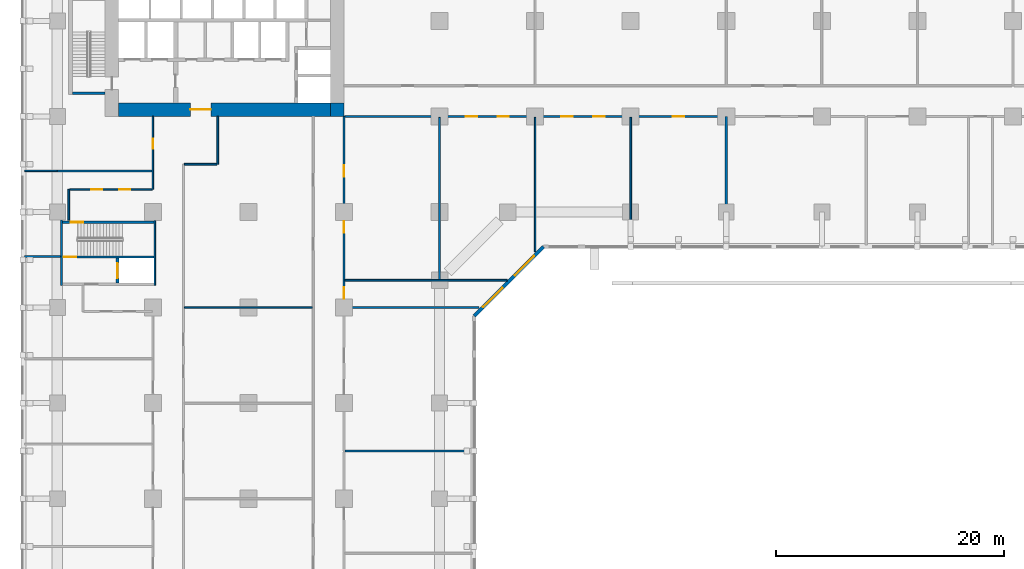
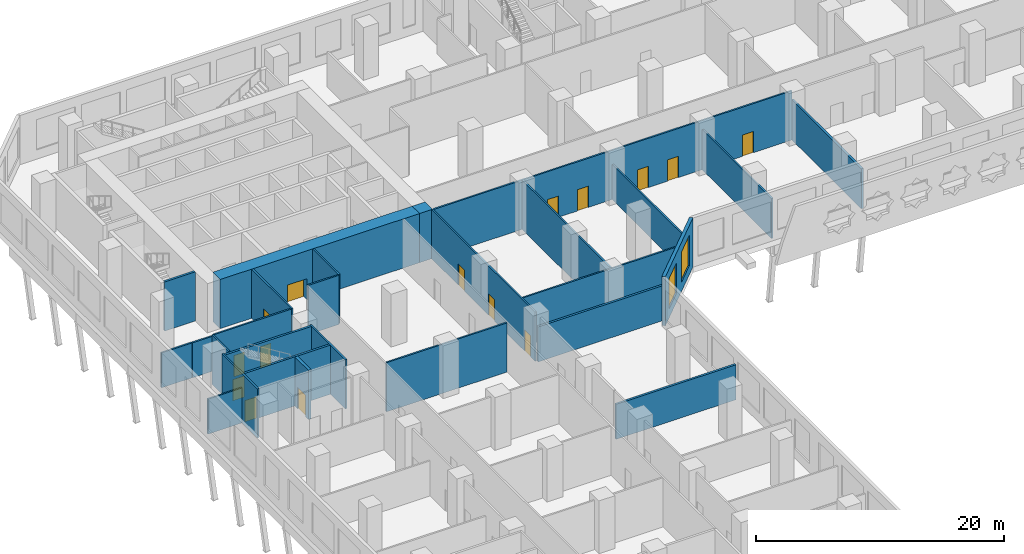
# One storey, part 6 of 21: 27 walls, 15 doors, 2 windows, 17 openings.
"""IFC4 building model written with IfcOpenShell, lengths in metres."""

from ifc_helpers import new_model, si_unit, direction, frame, frame_2d, origin, place, context, subcontext, project, spatial, rectangle, extrude, material, layer, layer_set, type_object, element, fill, save


model = new_model("IFC4")

# Units and contexts
model_context = context("Model", 3, precision=1e-05, world=origin(), true_north=direction((0.0, 1.0)))
body_context = subcontext(model_context, "Body", "Model", "MODEL_VIEW")
ifc_project = project(units=[si_unit("LENGTHUNIT", "METRE"), si_unit("AREAUNIT", "SQUARE_METRE"), si_unit("VOLUMEUNIT", "CUBIC_METRE"), si_unit("PLANEANGLEUNIT", "RADIAN"), si_unit("MASSUNIT", "GRAM", prefix="KILO")], contexts=[model_context])

# Site, building, storey
site_placement = place(None, origin())
site = spatial("IfcSite", under=ifc_project, at=site_placement, CompositionType="ELEMENT")
building_placement = place(site_placement, origin())
building = spatial("IfcBuilding", under=site, at=building_placement, Name="Kawkab Arch Medical Tower", CompositionType="ELEMENT")
storey_placement = place(building_placement, frame((0.0, 0.0, 23.800048828125)))
storey = spatial("IfcBuildingStorey", under=building, at=storey_placement, Name="L05", CompositionType="ELEMENT", Elevation=23.800048828125)

# Wall, opening, door
ifc_material_1 = material(Name="Concrete C60/75", Category="concrete")
ifc_layer_1 = layer(ifc_material_1, 1.199951171875)
ifc_layer_set_1 = layer_set([ifc_layer_1], Name="Concrete C60/75")
wall_type_1 = type_object("IfcWallType", Name="Core ring wall 1200 C60/75", PredefinedType="SHEAR", material=ifc_layer_set_1)
wall_1_placement = place(storey_placement, frame((5.39990234375, -24.60009765625, 0.0), z_axis=(0.0, 0.0, 1.0), x_axis=(1.0, 0.0, 0.0)))
wall_1 = element("IfcWall", 1, at=wall_1_placement, inside=storey, type_object=wall_type_1, Name="L05 core wall", PredefinedType="SHEAR", context=body_context, shape_type="SweptSolid", body=[
    extrude(rectangle(XDim=18.60009765625, YDim=1.199951171875, at=frame_2d((9.300048828125, 0.0))), origin(), (0.0, 0.0, 1.0), 4.849853515625),
])
opening_1_placement = place(wall_1_placement, frame((6.300048828125, 0.0, 0.0)))
opening_1 = element("IfcOpeningElement", 2, at=opening_1_placement, cuts=wall_1, Name="Opening PD", PredefinedType="OPENING", context=body_context, shape_type="SweptSolid", body=[
    extrude(rectangle(XDim=1.800048828125, YDim=2.10009765625, at=frame_2d((0.89990234375, 1.050048828125))), frame((0.0, 0.60986328125, 0.0), z_axis=(0.0, -1.0, 0.0), x_axis=(1.0, 0.0, 0.0)), (0.0, 0.0, 1.0), 1.219970703125),
])
ifc_material_2 = material(Name="Hollow metal fire door leaf")
door_type_1 = type_object("IfcDoorType", Name="Core entrance doors 1800", OperationType="DOUBLE_DOOR_SINGLE_SWING", PredefinedType="DOOR", material=ifc_material_2)
door_1_placement = place(opening_1_placement, origin())
door_1 = element("IfcDoor", 3, at=door_1_placement, inside=storey, type_object=door_type_1, Name="L05 South entrance doors", OperationType="DOUBLE_DOOR_SINGLE_SWING", OverallHeight=2.10009765625, OverallWidth=1.800048828125, PredefinedType="DOOR", context=body_context, shape_type="SweptSolid", body=[
    extrude(rectangle(XDim=1.800048828125, YDim=2.10009765625, at=frame_2d((0.89990234375, 1.050048828125))), frame((0.0, 0.02490234375, 0.0), z_axis=(0.0, -1.0, 0.0), x_axis=(1.0, 0.0, 0.0)), (0.0, 0.0, 1.0), 0.050048828125),
])
fill(opening_1, door_1)

# Wall
wall_2_placement = place(storey_placement, frame((24.60009765625, -25.199951171875, 0.0), z_axis=(0.0, 0.0, 1.0), x_axis=(0.0, 1.0, 0.0)))
element("IfcWall", 4, at=wall_2_placement, inside=storey, type_object=wall_type_1, Name="L05 core wall", PredefinedType="SHEAR", context=body_context, shape_type="SweptSolid", body=[
    extrude(rectangle(XDim=1.199951171875, YDim=1.199951171875, at=frame_2d((0.60009765625, 0.0))), origin(), (0.0, 0.0, 1.0), 4.849853515625),
])

# Wall, opening, door
ifc_material_3 = material(Name="Concrete C60/75", Category="concrete")
ifc_layer_2 = layer(ifc_material_3, 0.25)
ifc_layer_set_2 = layer_set([ifc_layer_2], Name="Concrete C60/75")
wall_type_2 = type_object("IfcWallType", Name="Core shear wall 250 C60/75", PredefinedType="SHEAR", material=ifc_layer_set_2)
wall_3_placement = place(storey_placement, frame((5.300048828125, -39.85009765625, 0.0), z_axis=(0.0, 0.0, 1.0), x_axis=(0.0, 1.0, 0.0)))
wall_3 = element("IfcWall", 5, at=wall_3_placement, inside=storey, type_object=wall_type_2, Name="L05 core shear wall", PredefinedType="SHEAR", context=body_context, shape_type="SweptSolid", body=[
    extrude(rectangle(XDim=2.2001953125, YDim=0.25, at=frame_2d((1.10009765625, 0.0))), origin(), (0.0, 0.0, 1.0), 4.849853515625),
])
opening_2_placement = place(wall_3_placement, frame((0.449951171875, 0.0, 0.0)))
opening_2 = element("IfcOpeningElement", 6, at=opening_2_placement, cuts=wall_3, Name="Opening LD2", PredefinedType="OPENING", context=body_context, shape_type="SweptSolid", body=[
    extrude(rectangle(XDim=1.300048828125, YDim=2.10009765625, at=frame_2d((0.64990234375, 1.050048828125))), frame((0.0, 0.135009765625, 0.0), z_axis=(0.0, -1.0, 0.0), x_axis=(1.0, 0.0, 0.0)), (0.0, 0.0, 1.0), 0.27001953125),
])
ifc_material_4 = material(Name="Stainless steel lift door leaf", Category="steel")
door_type_2 = type_object("IfcDoorType", Name="Lift landing door 1300", OperationType="DOUBLE_DOOR_SLIDING", PredefinedType="DOOR", material=ifc_material_4)
door_2_placement = place(opening_2_placement, origin())
door_2 = element("IfcDoor", 7, at=door_2_placement, inside=storey, type_object=door_type_2, Name="L05 Lift landing door SV2", OperationType="DOUBLE_DOOR_SLIDING", OverallHeight=2.10009765625, OverallWidth=1.300048828125, PredefinedType="DOOR", context=body_context, shape_type="SweptSolid", body=[
    extrude(rectangle(XDim=1.300048828125, YDim=2.10009765625, at=frame_2d((0.64990234375, 1.050048828125))), frame((0.0, 0.02490234375, 0.0), z_axis=(0.0, -1.0, 0.0), x_axis=(1.0, 0.0, 0.0)), (0.0, 0.0, 1.0), 0.050048828125),
])
fill(opening_2, door_2)

# Walls
ifc_material_5 = material(Name="Gypsum board partition on steel studs, mineral wool", Category="steel")
ifc_layer_3 = layer(ifc_material_5, 0.14990234375)
ifc_layer_set_3 = layer_set([ifc_layer_3], Name="Gypsum board partition on steel studs, mineral wool")
wall_type_3 = type_object("IfcWallType", Name="Partition 150", PredefinedType="PARTITIONING", material=ifc_layer_set_3)
wall_4_placement = place(storey_placement, frame((11.175048828125, -42.0, 0.0), z_axis=(0.0, 0.0, 1.0), x_axis=(1.0, 0.0, 0.0)))
element("IfcWall", 8, at=wall_4_placement, inside=storey, type_object=wall_type_3, Name="Partition 150 w014", PredefinedType="PARTITIONING", context=body_context, shape_type="SweptSolid", body=[
    extrude(rectangle(XDim=11.25, YDim=0.14990234375, at=frame_2d((5.625, 0.0))), origin(), (0.0, 0.0, 1.0), 4.849853515625),
])
wall_5_placement = place(storey_placement, frame((25.27490234375, -39.60009765625, 0.0), z_axis=(0.0, 0.0, 1.0), x_axis=(1.0, 0.0, 0.0)))
element("IfcWall", 9, at=wall_5_placement, inside=storey, type_object=wall_type_3, Name="Partition 150 w015", PredefinedType="PARTITIONING", context=body_context, shape_type="SweptSolid", body=[
    extrude(rectangle(XDim=14.272216796875, YDim=0.14990234375, at=frame_2d((7.13623046875, 0.0))), origin(), (0.0, 0.0, 1.0), 4.849853515625),
])
wall_6_placement = place(storey_placement, frame((-2.8798828125, -37.5, 0.0), z_axis=(0.0, 0.0, 1.0), x_axis=(1.0, 0.0, 0.0)))
element("IfcWall", 10, at=wall_6_placement, inside=storey, type_object=wall_type_3, Name="Partition 150 w016", PredefinedType="PARTITIONING", context=body_context, shape_type="SweptSolid", body=[
    extrude(rectangle(XDim=3.179931640625, YDim=0.14990234375, at=frame_2d((1.58984375, 0.0))), origin(), (0.0, 0.0, 1.0), 3.449951171875),
])

# Wall, openings, doors
wall_7_placement = place(storey_placement, frame((1.075927734375, -31.60693359375, 0.0), z_axis=(0.0, 0.0, 1.0), x_axis=(1.0, 0.0, 0.0)))
wall_7 = element("IfcWall", 11, at=wall_7_placement, inside=storey, type_object=wall_type_3, Name="Partition 150 w017", PredefinedType="PARTITIONING", context=body_context, shape_type="SweptSolid", body=[
    extrude(rectangle(XDim=7.2490234375, YDim=0.14990234375, at=frame_2d((3.62451171875, 0.0))), origin(), (0.0, 0.0, 1.0), 4.849853515625),
])
opening_3_placement = place(wall_7_placement, frame((1.89111328125, 0.0, 0.0)))
opening_3 = element("IfcOpeningElement", 12, at=opening_3_placement, cuts=wall_7, Name="Opening P05-032", PredefinedType="OPENING", context=body_context, shape_type="SweptSolid", body=[
    extrude(rectangle(XDim=1.0, YDim=2.10009765625, at=frame_2d((0.5, 1.050048828125))), frame((0.0, 0.0849609375, 0.0), z_axis=(0.0, -1.0, 0.0), x_axis=(1.0, 0.0, 0.0)), (0.0, 0.0, 1.0), 0.169921875),
])
opening_4_placement = place(wall_7_placement, frame((4.35791015625, 0.0, 0.0)))
opening_4 = element("IfcOpeningElement", 13, at=opening_4_placement, cuts=wall_7, Name="Opening P05-033", PredefinedType="OPENING", context=body_context, shape_type="SweptSolid", body=[
    extrude(rectangle(XDim=1.0, YDim=2.10009765625, at=frame_2d((0.5, 1.050048828125))), frame((0.0, 0.0849609375, 0.0), z_axis=(0.0, -1.0, 0.0), x_axis=(1.0, 0.0, 0.0)), (0.0, 0.0, 1.0), 0.169921875),
])
ifc_material_6 = material(Name="Hollow metal door leaf")
door_type_3 = type_object("IfcDoorType", Name="Single door 1000x2100 FD30S", OperationType="NOTDEFINED", PredefinedType="DOOR", material=ifc_material_6)
door_3_placement = place(opening_3_placement, origin())
door_3 = element("IfcDoor", 14, at=door_3_placement, inside=storey, type_object=door_type_3, Name="Door P05-032", OperationType="SINGLE_SWING_LEFT", OverallHeight=2.10009765625, OverallWidth=1.0, PredefinedType="DOOR", context=body_context, shape_type="SweptSolid", body=[
    extrude(rectangle(XDim=1.0, YDim=2.10009765625, at=frame_2d((0.5, 1.050048828125))), frame((0.0, 0.02490234375, 0.0), z_axis=(0.0, -1.0, 0.0), x_axis=(1.0, 0.0, 0.0)), (0.0, 0.0, 1.0), 0.050048828125),
])
fill(opening_3, door_3)
door_4_placement = place(opening_4_placement, origin())
door_4 = element("IfcDoor", 15, at=door_4_placement, inside=storey, type_object=door_type_3, Name="Door P05-033", OperationType="SINGLE_SWING_RIGHT", OverallHeight=2.10009765625, OverallWidth=1.0, PredefinedType="DOOR", context=body_context, shape_type="SweptSolid", body=[
    extrude(rectangle(XDim=1.0, YDim=2.10009765625, at=frame_2d((0.5, 1.050048828125))), frame((0.0, 0.02490234375, 0.0), z_axis=(0.0, -1.0, 0.0), x_axis=(1.0, 0.0, 0.0)), (0.0, 0.0, 1.0), 0.050048828125),
])
fill(opening_4, door_4)

# Walls
wall_8_placement = place(storey_placement, frame((0.001953125, -30.0, 0.0), z_axis=(0.0, 0.0, 1.0), x_axis=(1.0, 0.0, 0.0)))
element("IfcWall", 16, at=wall_8_placement, inside=storey, type_object=wall_type_3, Name="Partition 150 w018", PredefinedType="PARTITIONING", context=body_context, shape_type="SweptSolid", body=[
    extrude(rectangle(XDim=8.322998046875, YDim=0.14990234375, at=frame_2d((4.16162109375, 0.0))), origin(), (0.0, 0.0, 1.0), 3.449951171875),
])
wall_9_placement = place(storey_placement, frame((-2.8798828125, -29.97998046875, 0.0), z_axis=(0.0, 0.0, 1.0), x_axis=(1.0, 0.0, 0.0)))
element("IfcWall", 17, at=wall_9_placement, inside=storey, type_object=wall_type_3, Name="Partition 150 w019", PredefinedType="PARTITIONING", context=body_context, shape_type="SweptSolid", body=[
    extrude(rectangle(XDim=2.85986328125, YDim=0.14990234375, at=frame_2d((1.429931640625, 0.0))), origin(), (0.0, 0.0, 1.0), 3.449951171875),
])
wall_10_placement = place(storey_placement, frame((11.175048828125, -29.39990234375, 0.0), z_axis=(0.0, 0.0, 1.0), x_axis=(1.0, 0.0, 0.0)))
element("IfcWall", 18, at=wall_10_placement, inside=storey, type_object=wall_type_3, Name="Partition 150 w020", PredefinedType="PARTITIONING", context=body_context, shape_type="SweptSolid", body=[
    extrude(rectangle(XDim=2.849853515625, YDim=0.14990234375, at=frame_2d((1.4248046875, 0.0))), origin(), (0.0, 0.0, 1.0), 4.849853515625),
])

# Wall, openings, doors
wall_11_placement = place(storey_placement, frame((25.27490234375, -25.199951171875, 0.0), z_axis=(0.0, 0.0, 1.0), x_axis=(1.0, 0.0, 0.0)))
wall_11 = element("IfcWall", 19, at=wall_11_placement, inside=storey, type_object=wall_type_3, Name="Partition 150 w021", PredefinedType="PARTITIONING", context=body_context, shape_type="SweptSolid", body=[
    extrude(rectangle(XDim=33.425048828125, YDim=0.14990234375, at=frame_2d((16.71240234375, 0.0))), origin(), (0.0, 0.0, 1.0), 4.849853515625),
])
opening_5_placement = place(wall_11_placement, frame((13.425048828125, 0.0, 0.0)))
opening_5 = element("IfcOpeningElement", 20, at=opening_5_placement, cuts=wall_11, Name="Opening P05-025", PredefinedType="OPENING", context=body_context, shape_type="SweptSolid", body=[
    extrude(rectangle(XDim=1.0, YDim=2.10009765625, at=frame_2d((0.5, 1.050048828125))), frame((0.0, 0.0849609375, 0.0), z_axis=(0.0, -1.0, 0.0), x_axis=(1.0, 0.0, 0.0)), (0.0, 0.0, 1.0), 0.169921875),
])
opening_6_placement = place(wall_11_placement, frame((10.625, 0.0, 0.0)))
opening_6 = element("IfcOpeningElement", 21, at=opening_6_placement, cuts=wall_11, Name="Opening P05-026", PredefinedType="OPENING", context=body_context, shape_type="SweptSolid", body=[
    extrude(rectangle(XDim=1.0, YDim=2.10009765625, at=frame_2d((0.5, 1.050048828125))), frame((0.0, 0.0849609375, 0.0), z_axis=(0.0, -1.0, 0.0), x_axis=(1.0, 0.0, 0.0)), (0.0, 0.0, 1.0), 0.169921875),
])
opening_7_placement = place(wall_11_placement, frame((21.824951171875, 0.0, 0.0)))
opening_7 = element("IfcOpeningElement", 22, at=opening_7_placement, cuts=wall_11, Name="Opening P05-027", PredefinedType="OPENING", context=body_context, shape_type="SweptSolid", body=[
    extrude(rectangle(XDim=1.0, YDim=2.10009765625, at=frame_2d((0.5, 1.050048828125))), frame((0.0, 0.0849609375, 0.0), z_axis=(0.0, -1.0, 0.0), x_axis=(1.0, 0.0, 0.0)), (0.0, 0.0, 1.0), 0.169921875),
])
opening_8_placement = place(wall_11_placement, frame((19.02490234375, 0.0, 0.0)))
opening_8 = element("IfcOpeningElement", 23, at=opening_8_placement, cuts=wall_11, Name="Opening P05-028", PredefinedType="OPENING", context=body_context, shape_type="SweptSolid", body=[
    extrude(rectangle(XDim=1.0, YDim=2.10009765625, at=frame_2d((0.5, 1.050048828125))), frame((0.0, 0.0849609375, 0.0), z_axis=(0.0, -1.0, 0.0), x_axis=(1.0, 0.0, 0.0)), (0.0, 0.0, 1.0), 0.169921875),
])
opening_9_placement = place(wall_11_placement, frame((28.824951171875, 0.0, 0.0)))
opening_9 = element("IfcOpeningElement", 24, at=opening_9_placement, cuts=wall_11, Name="Opening P05-029", PredefinedType="OPENING", context=body_context, shape_type="SweptSolid", body=[
    extrude(rectangle(XDim=1.0, YDim=2.10009765625, at=frame_2d((0.5, 1.050048828125))), frame((0.0, 0.0849609375, 0.0), z_axis=(0.0, -1.0, 0.0), x_axis=(1.0, 0.0, 0.0)), (0.0, 0.0, 1.0), 0.169921875),
])
door_5_placement = place(opening_5_placement, origin())
door_5 = element("IfcDoor", 25, at=door_5_placement, inside=storey, type_object=door_type_3, Name="Door P05-025", OperationType="SINGLE_SWING_RIGHT", OverallHeight=2.10009765625, OverallWidth=1.0, PredefinedType="DOOR", context=body_context, shape_type="SweptSolid", body=[
    extrude(rectangle(XDim=1.0, YDim=2.10009765625, at=frame_2d((0.5, 1.050048828125))), frame((0.0, 0.02490234375, 0.0), z_axis=(0.0, -1.0, 0.0), x_axis=(1.0, 0.0, 0.0)), (0.0, 0.0, 1.0), 0.050048828125),
])
fill(opening_5, door_5)
door_6_placement = place(opening_6_placement, origin())
door_6 = element("IfcDoor", 26, at=door_6_placement, inside=storey, type_object=door_type_3, Name="Door P05-026", OperationType="SINGLE_SWING_RIGHT", OverallHeight=2.10009765625, OverallWidth=1.0, PredefinedType="DOOR", context=body_context, shape_type="SweptSolid", body=[
    extrude(rectangle(XDim=1.0, YDim=2.10009765625, at=frame_2d((0.5, 1.050048828125))), frame((0.0, 0.02490234375, 0.0), z_axis=(0.0, -1.0, 0.0), x_axis=(1.0, 0.0, 0.0)), (0.0, 0.0, 1.0), 0.050048828125),
])
fill(opening_6, door_6)
door_7_placement = place(opening_7_placement, origin())
door_7 = element("IfcDoor", 27, at=door_7_placement, inside=storey, type_object=door_type_3, Name="Door P05-027", OperationType="SINGLE_SWING_LEFT", OverallHeight=2.10009765625, OverallWidth=1.0, PredefinedType="DOOR", context=body_context, shape_type="SweptSolid", body=[
    extrude(rectangle(XDim=1.0, YDim=2.10009765625, at=frame_2d((0.5, 1.050048828125))), frame((0.0, 0.02490234375, 0.0), z_axis=(0.0, -1.0, 0.0), x_axis=(1.0, 0.0, 0.0)), (0.0, 0.0, 1.0), 0.050048828125),
])
fill(opening_7, door_7)
door_8_placement = place(opening_8_placement, origin())
door_8 = element("IfcDoor", 28, at=door_8_placement, inside=storey, type_object=door_type_3, Name="Door P05-028", OperationType="SINGLE_SWING_LEFT", OverallHeight=2.10009765625, OverallWidth=1.0, PredefinedType="DOOR", context=body_context, shape_type="SweptSolid", body=[
    extrude(rectangle(XDim=1.0, YDim=2.10009765625, at=frame_2d((0.5, 1.050048828125))), frame((0.0, 0.02490234375, 0.0), z_axis=(0.0, -1.0, 0.0), x_axis=(1.0, 0.0, 0.0)), (0.0, 0.0, 1.0), 0.050048828125),
])
fill(opening_8, door_8)
door_9_placement = place(opening_9_placement, origin())
door_9 = element("IfcDoor", 29, at=door_9_placement, inside=storey, type_object=door_type_3, Name="Door P05-029", OperationType="SINGLE_SWING_LEFT", OverallHeight=2.10009765625, OverallWidth=1.0, PredefinedType="DOOR", context=body_context, shape_type="SweptSolid", body=[
    extrude(rectangle(XDim=1.0, YDim=2.10009765625, at=frame_2d((0.5, 1.050048828125))), frame((0.0, 0.02490234375, 0.0), z_axis=(0.0, -1.0, 0.0), x_axis=(1.0, 0.0, 0.0)), (0.0, 0.0, 1.0), 0.050048828125),
])
fill(opening_9, door_9)

# Wall
wall_12_placement = place(storey_placement, frame((1.0, -34.302978515625, 0.0), z_axis=(0.0, 0.0, 1.0), x_axis=(0.0, 1.0, 0.0)))
element("IfcWall", 30, at=wall_12_placement, inside=storey, type_object=wall_type_3, Name="Partition 150 w034", PredefinedType="PARTITIONING", context=body_context, shape_type="SweptSolid", body=[
    extrude(rectangle(XDim=2.694091796875, YDim=0.14990234375, at=frame_2d((1.34716796875, 0.0))), origin(), (0.0, 0.0, 1.0), 4.849853515625),
])

# Wall, opening, door
wall_13_placement = place(storey_placement, frame((8.39990234375, -31.60693359375, 0.0), z_axis=(0.0, 0.0, 1.0), x_axis=(0.0, 1.0, 0.0)))
wall_13 = element("IfcWall", 31, at=wall_13_placement, inside=storey, type_object=wall_type_3, Name="Partition 150 w038", PredefinedType="PARTITIONING", context=body_context, shape_type="SweptSolid", body=[
    extrude(rectangle(XDim=6.406982421875, YDim=0.14990234375, at=frame_2d((3.20361328125, 0.0))), origin(), (0.0, 0.0, 1.0), 4.849853515625),
])
opening_10_placement = place(wall_13_placement, frame((3.556884765625, 0.0, 0.0)))
opening_10 = element("IfcOpeningElement", 32, at=opening_10_placement, cuts=wall_13, Name="Opening P05-001", PredefinedType="OPENING", context=body_context, shape_type="SweptSolid", body=[
    extrude(rectangle(XDim=0.89990234375, YDim=2.10009765625, at=frame_2d((0.449951171875, 1.050048828125))), frame((0.0, 0.0849609375, 0.0), z_axis=(0.0, -1.0, 0.0), x_axis=(1.0, 0.0, 0.0)), (0.0, 0.0, 1.0), 0.169921875),
])
ifc_material_7 = material(Name="Timber door leaf", Category="wood")
door_type_4 = type_object("IfcDoorType", Name="Single door 900x2100", OperationType="NOTDEFINED", PredefinedType="DOOR", material=ifc_material_7)
door_10_placement = place(opening_10_placement, origin())
door_10 = element("IfcDoor", 33, at=door_10_placement, inside=storey, type_object=door_type_4, Name="Door P05-001", OperationType="SINGLE_SWING_RIGHT", OverallHeight=2.10009765625, OverallWidth=0.89990234375, PredefinedType="DOOR", context=body_context, shape_type="SweptSolid", body=[
    extrude(rectangle(XDim=0.89990234375, YDim=2.10009765625, at=frame_2d((0.449951171875, 1.050048828125))), frame((0.0, 0.02490234375, 0.0), z_axis=(0.0, -1.0, 0.0), x_axis=(1.0, 0.0, 0.0)), (0.0, 0.0, 1.0), 0.050048828125),
])
fill(opening_10, door_10)

# Wall
wall_14_placement = place(storey_placement, frame((14.10009765625, -29.39990234375, 0.0), z_axis=(0.0, 0.0, 1.0), x_axis=(0.0, 1.0, 0.0)))
element("IfcWall", 34, at=wall_14_placement, inside=storey, type_object=wall_type_3, Name="Partition 150 w041", PredefinedType="PARTITIONING", context=body_context, shape_type="SweptSolid", body=[
    extrude(rectangle(XDim=4.199951171875, YDim=0.14990234375, at=frame_2d((2.10009765625, 0.0))), origin(), (0.0, 0.0, 1.0), 4.849853515625),
])

# Wall, openings, doors
wall_15_placement = place(storey_placement, frame((25.199951171875, -41.89990234375, 0.0), z_axis=(0.0, 0.0, 1.0), x_axis=(0.0, 1.0, 0.0)))
wall_15 = element("IfcWall", 35, at=wall_15_placement, inside=storey, type_object=wall_type_3, Name="Partition 150 w045", PredefinedType="PARTITIONING", context=body_context, shape_type="SweptSolid", body=[
    extrude(rectangle(XDim=16.699951171875, YDim=0.14990234375, at=frame_2d((8.35009765625, 0.0))), origin(), (0.0, 0.0, 1.0), 4.849853515625),
])
opening_11_placement = place(wall_15_placement, frame((11.39990234375, 0.0, 0.0)))
opening_11 = element("IfcOpeningElement", 36, at=opening_11_placement, cuts=wall_15, Name="Opening P05-023", PredefinedType="OPENING", context=body_context, shape_type="SweptSolid", body=[
    extrude(rectangle(XDim=1.0, YDim=2.10009765625, at=frame_2d((0.5, 1.050048828125))), frame((0.0, 0.0849609375, 0.0), z_axis=(0.0, -1.0, 0.0), x_axis=(1.0, 0.0, 0.0)), (0.0, 0.0, 1.0), 0.169921875),
])
opening_12_placement = place(wall_15_placement, frame((6.5, 0.0, 0.0)))
opening_12 = element("IfcOpeningElement", 37, at=opening_12_placement, cuts=wall_15, Name="Opening P05-024", PredefinedType="OPENING", context=body_context, shape_type="SweptSolid", body=[
    extrude(rectangle(XDim=1.0, YDim=2.10009765625, at=frame_2d((0.5, 1.050048828125))), frame((0.0, 0.0849609375, 0.0), z_axis=(0.0, -1.0, 0.0), x_axis=(1.0, 0.0, 0.0)), (0.0, 0.0, 1.0), 0.169921875),
])
opening_13_placement = place(wall_15_placement, frame((0.699951171875, 0.0, 0.0)))
opening_13 = element("IfcOpeningElement", 38, at=opening_13_placement, cuts=wall_15, Name="Opening P05-054", PredefinedType="OPENING", context=body_context, shape_type="SweptSolid", body=[
    extrude(rectangle(XDim=1.0, YDim=2.10009765625, at=frame_2d((0.5, 1.050048828125))), frame((0.0, 0.0849609375, 0.0), z_axis=(0.0, -1.0, 0.0), x_axis=(1.0, 0.0, 0.0)), (0.0, 0.0, 1.0), 0.169921875),
])
door_11_placement = place(opening_11_placement, origin())
door_11 = element("IfcDoor", 39, at=door_11_placement, inside=storey, type_object=door_type_3, Name="Door P05-023", OperationType="SINGLE_SWING_LEFT", OverallHeight=2.10009765625, OverallWidth=1.0, PredefinedType="DOOR", context=body_context, shape_type="SweptSolid", body=[
    extrude(rectangle(XDim=1.0, YDim=2.10009765625, at=frame_2d((0.5, 1.050048828125))), frame((0.0, 0.02490234375, 0.0), z_axis=(0.0, -1.0, 0.0), x_axis=(1.0, 0.0, 0.0)), (0.0, 0.0, 1.0), 0.050048828125),
])
fill(opening_11, door_11)
door_12_placement = place(opening_12_placement, origin())
door_12 = element("IfcDoor", 40, at=door_12_placement, inside=storey, type_object=door_type_3, Name="Door P05-024", OperationType="SINGLE_SWING_RIGHT", OverallHeight=2.10009765625, OverallWidth=1.0, PredefinedType="DOOR", context=body_context, shape_type="SweptSolid", body=[
    extrude(rectangle(XDim=1.0, YDim=2.10009765625, at=frame_2d((0.5, 1.050048828125))), frame((0.0, 0.02490234375, 0.0), z_axis=(0.0, -1.0, 0.0), x_axis=(1.0, 0.0, 0.0)), (0.0, 0.0, 1.0), 0.050048828125),
])
fill(opening_12, door_12)
door_13_placement = place(opening_13_placement, origin())
door_13 = element("IfcDoor", 41, at=door_13_placement, inside=storey, type_object=door_type_3, Name="Door P05-054", OperationType="SINGLE_SWING_RIGHT", OverallHeight=2.10009765625, OverallWidth=1.0, PredefinedType="DOOR", context=body_context, shape_type="SweptSolid", body=[
    extrude(rectangle(XDim=1.0, YDim=2.10009765625, at=frame_2d((0.5, 1.050048828125))), frame((0.0, 0.02490234375, 0.0), z_axis=(0.0, -1.0, 0.0), x_axis=(1.0, 0.0, 0.0)), (0.0, 0.0, 1.0), 0.050048828125),
])
fill(opening_13, door_13)

# Walls
wall_16_placement = place(storey_placement, frame((33.60009765625, -39.52490234375, 0.0), z_axis=(0.0, 0.0, 1.0), x_axis=(0.0, 1.0, 0.0)))
element("IfcWall", 42, at=wall_16_placement, inside=storey, type_object=wall_type_3, Name="Partition 150 w049", PredefinedType="PARTITIONING", context=body_context, shape_type="SweptSolid", body=[
    extrude(rectangle(XDim=14.25, YDim=0.14990234375, at=frame_2d((7.125, 0.0))), origin(), (0.0, 0.0, 1.0), 4.849853515625),
])
wall_17_placement = place(storey_placement, frame((42.0, -37.0869140625, 0.0), z_axis=(0.0, 0.0, 1.0), x_axis=(0.0, 1.0, 0.0)))
element("IfcWall", 43, at=wall_17_placement, inside=storey, type_object=wall_type_3, Name="Partition 150 w052", PredefinedType="PARTITIONING", context=body_context, shape_type="SweptSolid", body=[
    extrude(rectangle(XDim=11.81201171875, YDim=0.14990234375, at=frame_2d((5.906005859375, 0.0))), origin(), (0.0, 0.0, 1.0), 3.449951171875),
])
wall_18_placement = place(storey_placement, frame((50.39990234375, -36.47998046875, 0.0), z_axis=(0.0, 0.0, 1.0), x_axis=(0.0, 1.0, 0.0)))
element("IfcWall", 44, at=wall_18_placement, inside=storey, type_object=wall_type_3, Name="Partition 150 w055", PredefinedType="PARTITIONING", context=body_context, shape_type="SweptSolid", body=[
    extrude(rectangle(XDim=11.205078125, YDim=0.14990234375, at=frame_2d((5.6025390625, 0.0))), origin(), (0.0, 0.0, 1.0), 3.949951171875),
])

# Wall, openings, windows
ifc_material_8 = material(Name="Bronze clad insulated wall panel")
ifc_layer_4 = layer(ifc_material_8, 0.300048828125)
ifc_layer_set_4 = layer_set([ifc_layer_4], Name="Bronze clad insulated wall panel")
wall_type_4 = type_object("IfcWallType", Name="Podium external wall 300", PredefinedType="SOLIDWALL", material=ifc_layer_set_4)
wall_19_placement = place(storey_placement, frame((36.64990234375, -42.73779296875, 0.0), z_axis=(0.0, 0.0, 1.0), x_axis=(0.707106781187, 0.707106781187, 0.0)))
wall_19 = element("IfcWall", 45, at=wall_19_placement, inside=storey, type_object=wall_type_4, Name="Podium external wall L05 R07", PredefinedType="SOLIDWALL", context=body_context, shape_type="SweptSolid", body=[
    extrude(rectangle(XDim=8.609619140625, YDim=0.300048828125, at=frame_2d((4.3046875, 0.0))), origin(), (0.0, 0.0, 1.0), 4.849853515625),
])
opening_14_placement = place(wall_19_placement, frame((1.090087890625, 0.0, 0.89990234375)))
opening_14 = element("IfcOpeningElement", 46, at=opening_14_placement, cuts=wall_19, Name="Opening PBW240-30-S9", PredefinedType="OPENING", context=body_context, shape_type="SweptSolid", body=[
    extrude(rectangle(XDim=2.39990234375, YDim=3.0, at=frame_2d((1.199951171875, 1.5))), frame((0.0, 0.159912109375, 0.0), z_axis=(0.0, -1.0, 0.0), x_axis=(1.0, 0.0, 0.0)), (0.0, 0.0, 1.0), 0.320068359375),
])
opening_15_placement = place(wall_19_placement, frame((5.035400390625, 0.0, 0.89990234375)))
opening_15 = element("IfcOpeningElement", 47, at=opening_15_placement, cuts=wall_19, Name="Opening PBW240-30-S9", PredefinedType="OPENING", context=body_context, shape_type="SweptSolid", body=[
    extrude(rectangle(XDim=2.39990234375, YDim=3.0, at=frame_2d((1.199951171875, 1.5))), frame((0.0, 0.159912109375, 0.0), z_axis=(0.0, -1.0, 0.0), x_axis=(1.0, 0.0, 0.0)), (0.0, 0.0, 1.0), 0.320068359375),
])
ifc_material_9 = material(Name="Bronze anodised aluminium louvred window", Category="aluminium")
window_type = type_object("IfcWindowType", Name="Podium band window 2400 x 3000 sill 900", PartitioningType="DOUBLE_PANEL_VERTICAL", PredefinedType="WINDOW", material=ifc_material_9)
window_1_placement = place(opening_14_placement, origin())
window_1 = element("IfcWindow", 48, at=window_1_placement, inside=storey, type_object=window_type, Name="Band window L05 R07.1", OverallHeight=3.0, OverallWidth=2.39990234375, PartitioningType="SINGLE_PANEL", PredefinedType="WINDOW", context=body_context, shape_type="SweptSolid", body=[
    extrude(rectangle(XDim=2.39990234375, YDim=3.0, at=frame_2d((1.199951171875, 1.5))), frame((0.0, 0.030029296875, 0.0), z_axis=(0.0, -1.0, 0.0), x_axis=(1.0, 0.0, 0.0)), (0.0, 0.0, 1.0), 0.06005859375),
])
fill(opening_14, window_1)
window_2_placement = place(opening_15_placement, origin())
window_2 = element("IfcWindow", 49, at=window_2_placement, inside=storey, type_object=window_type, Name="Band window L05 R07.2", OverallHeight=3.0, OverallWidth=2.39990234375, PartitioningType="SINGLE_PANEL", PredefinedType="WINDOW", context=body_context, shape_type="SweptSolid", body=[
    extrude(rectangle(XDim=2.39990234375, YDim=3.0, at=frame_2d((1.199951171875, 1.5))), frame((0.0, 0.030029296875, 0.0), z_axis=(0.0, -1.0, 0.0), x_axis=(1.0, 0.0, 0.0)), (0.0, 0.0, 1.0), 0.06005859375),
])
fill(opening_15, window_2)

# Walls
ifc_material_10 = material(Name="Fire-rated gypsum board partition on steel studs", Category="steel")
ifc_layer_5 = layer(ifc_material_10, 0.199951171875)
ifc_layer_set_5 = layer_set([ifc_layer_5], Name="Fire-rated gypsum board partition on steel studs")
wall_type_5 = type_object("IfcWallType", Name="Protected partition 200", PredefinedType="PARTITIONING", material=ifc_layer_set_5)
wall_20_placement = place(storey_placement, frame((25.300048828125, -54.60009765625, 0.0), z_axis=(0.0, 0.0, 1.0), x_axis=(1.0, 0.0, 0.0)))
element("IfcWall", 50, at=wall_20_placement, inside=storey, type_object=wall_type_5, Name="Protected partition 200 w071", PredefinedType="PARTITIONING", context=body_context, shape_type="SweptSolid", body=[
    extrude(rectangle(XDim=11.179931640625, YDim=0.199951171875, at=frame_2d((5.58984375, 0.0))), origin(), (0.0, 0.0, 1.0), 3.449951171875),
])
wall_21_placement = place(storey_placement, frame((25.300048828125, -42.0, 0.0), z_axis=(0.0, 0.0, 1.0), x_axis=(1.0, 0.0, 0.0)))
element("IfcWall", 51, at=wall_21_placement, inside=storey, type_object=wall_type_5, Name="Protected partition 200 w072", PredefinedType="PARTITIONING", context=body_context, shape_type="SweptSolid", body=[
    extrude(rectangle(XDim=11.786865234375, YDim=0.199951171875, at=frame_2d((5.8935546875, 0.0))), origin(), (0.0, 0.0, 1.0), 3.449951171875),
])
wall_22_placement = place(storey_placement, frame((58.800048828125, -36.47998046875, 0.0), z_axis=(0.0, 0.0, 1.0), x_axis=(0.0, 1.0, 0.0)))
element("IfcWall", 52, at=wall_22_placement, inside=storey, type_object=wall_type_5, Name="Protected partition 200 w079", PredefinedType="PARTITIONING", context=body_context, shape_type="SweptSolid", body=[
    extrude(rectangle(XDim=11.280029296875, YDim=0.199951171875, at=frame_2d((5.64013671875, 0.0))), origin(), (0.0, 0.0, 1.0), 3.949951171875),
])
ifc_material_11 = material(Name="Concrete C50/60", Category="concrete")
ifc_layer_6 = layer(ifc_material_11, 0.14990234375)
ifc_layer_set_6 = layer_set([ifc_layer_6], Name="Concrete C50/60")
wall_type_6 = type_object("IfcWallType", Name="Stair enclosure wall 150 C50/60", PredefinedType="SHEAR", material=ifc_layer_set_6)
wall_23_placement = place(storey_placement, frame((0.375, -40.050048828125, 0.0), z_axis=(0.0, 0.0, 1.0), x_axis=(0.0, 1.0, 0.0)))
element("IfcWall", 53, at=wall_23_placement, inside=storey, type_object=wall_type_6, Name="L05 stair enclosure wall", PredefinedType="SHEAR", context=body_context, shape_type="SweptSolid", body=[
    extrude(rectangle(XDim=5.75, YDim=0.14990234375, at=frame_2d((2.875, 0.0))), origin(), (0.0, 0.0, 1.0), 4.849853515625),
])
wall_24_placement = place(storey_placement, frame((8.574951171875, -40.050048828125, 0.0), z_axis=(0.0, 0.0, 1.0), x_axis=(0.0, 1.0, 0.0)))
element("IfcWall", 54, at=wall_24_placement, inside=storey, type_object=wall_type_6, Name="L05 stair enclosure wall", PredefinedType="SHEAR", context=body_context, shape_type="SweptSolid", body=[
    extrude(rectangle(XDim=5.699951171875, YDim=0.14990234375, at=frame_2d((2.85009765625, 0.0))), origin(), (0.0, 0.0, 1.0), 4.849853515625),
])
ifc_material_12 = material(Name="Concrete C50/60", Category="concrete")
ifc_layer_7 = layer(ifc_material_12, 0.199951171875)
ifc_layer_set_7 = layer_set([ifc_layer_7], Name="Concrete C50/60")
wall_type_7 = type_object("IfcWallType", Name="Stair enclosure wall 200 C50/60", PredefinedType="SHEAR", material=ifc_layer_set_7)
wall_25_placement = place(storey_placement, frame((1.35009765625, -23.14990234375, 0.0), z_axis=(0.0, 0.0, 1.0), x_axis=(1.0, 0.0, 0.0)))
element("IfcWall", 55, at=wall_25_placement, inside=storey, type_object=wall_type_7, Name="L05 stair enclosure wall", PredefinedType="SHEAR", context=body_context, shape_type="SweptSolid", body=[
    extrude(rectangle(XDim=2.849853515625, YDim=0.199951171875, at=frame_2d((1.4248046875, 0.0))), origin(), (0.0, 0.0, 1.0), 4.849853515625),
])

# Wall, opening, door
wall_26_placement = place(storey_placement, frame((0.449951171875, -34.5, 0.0), z_axis=(0.0, 0.0, 1.0), x_axis=(1.0, 0.0, 0.0)))
wall_26 = element("IfcWall", 56, at=wall_26_placement, inside=storey, type_object=wall_type_7, Name="L05 stair enclosure wall", PredefinedType="SHEAR", context=body_context, shape_type="SweptSolid", body=[
    extrude(rectangle(XDim=8.050048828125, YDim=0.199951171875, at=frame_2d((4.02490234375, 0.0))), origin(), (0.0, 0.0, 1.0), 4.849853515625),
])
opening_16_placement = place(wall_26_placement, frame((0.75, 0.0, 0.0)))
opening_16 = element("IfcOpeningElement", 57, at=opening_16_placement, cuts=wall_26, Name="Opening SD", PredefinedType="OPENING", context=body_context, shape_type="SweptSolid", body=[
    extrude(rectangle(XDim=1.10009765625, YDim=2.10009765625, at=frame_2d((0.550048828125, 1.050048828125))), frame((0.0, 0.10986328125, 0.0), z_axis=(0.0, -1.0, 0.0), x_axis=(1.0, 0.0, 0.0)), (0.0, 0.0, 1.0), 0.219970703125),
])
ifc_material_13 = material(Name="Hollow metal fire door leaf")
door_type_5 = type_object("IfcDoorType", Name="Exit stair door 1100", OperationType="SINGLE_SWING_LEFT", PredefinedType="DOOR", material=ifc_material_13)
door_14_placement = place(opening_16_placement, origin())
door_14 = element("IfcDoor", 58, at=door_14_placement, inside=storey, type_object=door_type_5, Name="L05 Exit stair ST6 door", OperationType="SINGLE_SWING_LEFT", OverallHeight=2.10009765625, OverallWidth=1.10009765625, PredefinedType="DOOR", context=body_context, shape_type="SweptSolid", body=[
    extrude(rectangle(XDim=1.10009765625, YDim=2.10009765625, at=frame_2d((0.550048828125, 1.050048828125))), frame((0.0, 0.02490234375, 0.0), z_axis=(0.0, -1.0, 0.0), x_axis=(1.0, 0.0, 0.0)), (0.0, 0.0, 1.0), 0.050048828125),
])
fill(opening_16, door_14)

wall_27_placement = place(storey_placement, frame((0.449951171875, -37.550048828125, 0.0), z_axis=(0.0, 0.0, 1.0), x_axis=(1.0, 0.0, 0.0)))
wall_27 = element("IfcWall", 59, at=wall_27_placement, inside=storey, type_object=wall_type_7, Name="L05 stair enclosure wall", PredefinedType="SHEAR", context=body_context, shape_type="SweptSolid", body=[
    extrude(rectangle(XDim=8.050048828125, YDim=0.199951171875, at=frame_2d((4.02490234375, 0.0))), origin(), (0.0, 0.0, 1.0), 4.849853515625),
])
opening_17_placement = place(wall_27_placement, frame((0.10009765625, 0.0, 0.0)))
opening_17 = element("IfcOpeningElement", 60, at=opening_17_placement, cuts=wall_27, Name="Opening SD", PredefinedType="OPENING", context=body_context, shape_type="SweptSolid", body=[
    extrude(rectangle(XDim=1.10009765625, YDim=2.10009765625, at=frame_2d((0.550048828125, 1.050048828125))), frame((0.0, 0.10986328125, 0.0), z_axis=(0.0, -1.0, 0.0), x_axis=(1.0, 0.0, 0.0)), (0.0, 0.0, 1.0), 0.219970703125),
])
door_15_placement = place(opening_17_placement, frame((1.10009765625, 0.0, 0.0), z_axis=(0.0, 0.0, 1.0), x_axis=(-1.0, 0.0, 0.0)))
door_15 = element("IfcDoor", 61, at=door_15_placement, inside=storey, type_object=door_type_5, Name="L05 Exit stair ST6 lobby door", OperationType="SINGLE_SWING_LEFT", OverallHeight=2.10009765625, OverallWidth=1.10009765625, PredefinedType="DOOR", context=body_context, shape_type="SweptSolid", body=[
    extrude(rectangle(XDim=1.10009765625, YDim=2.10009765625, at=frame_2d((0.550048828125, 1.050048828125))), frame((0.0, 0.02490234375, 0.0), z_axis=(0.0, -1.0, 0.0), x_axis=(1.0, 0.0, 0.0)), (0.0, 0.0, 1.0), 0.050048828125),
])
fill(opening_17, door_15)

save(model, "model.ifc")
